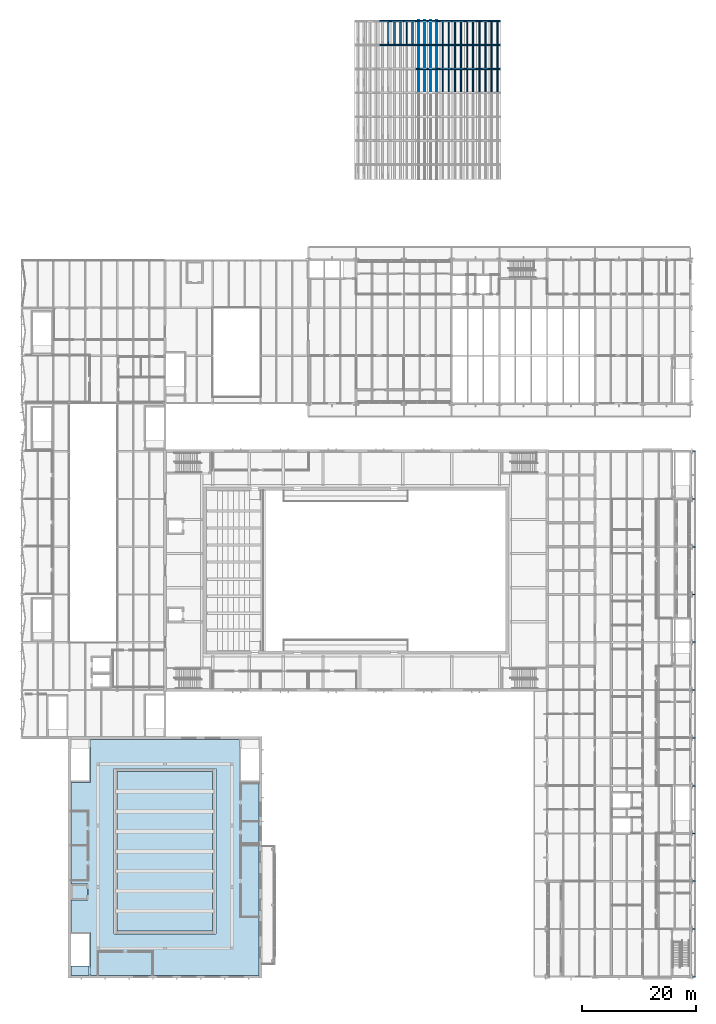
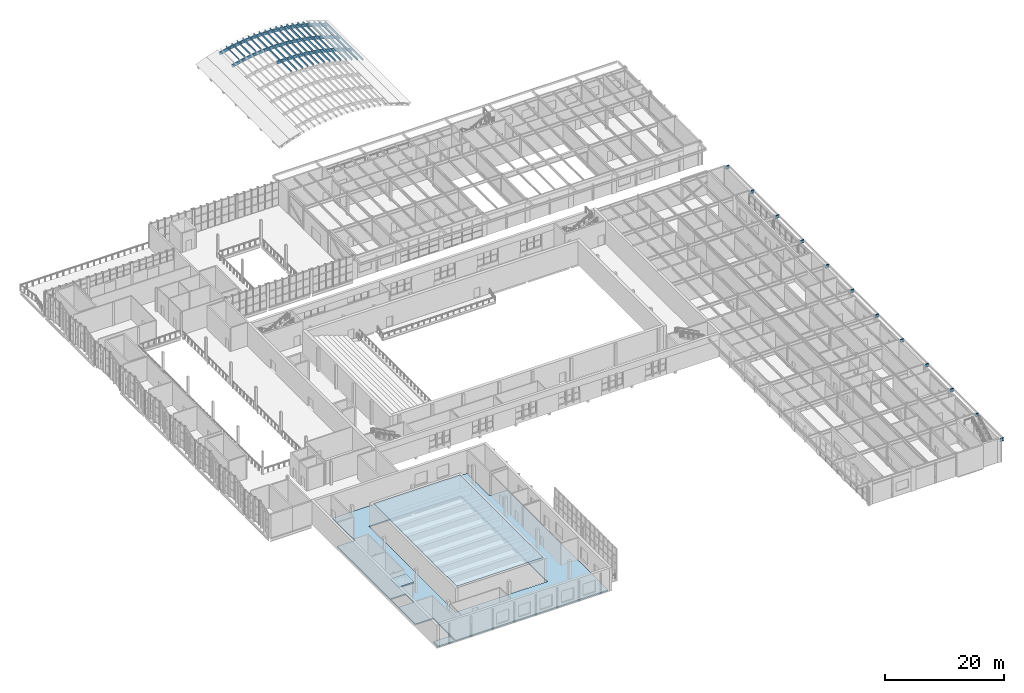
# One storey, part 55 of 116: 39 beams, 33 members, 4 slabs.
"""IFC4 building model written with IfcOpenShell, lengths in metres."""

from ifc_helpers import new_model, si_unit, direction, frame, origin, origin_2d, place, context, subcontext, project, spatial, polyline, rectangle, i_section, outline, extrude, material, layer, layer_set, material_profile, profile_set, type_object, element, save


model = new_model("IFC4")

# Units and contexts
model_context = context("Model", 3, precision=1e-05, world=origin(), true_north=direction((0.0, 1.0)))
body_context = subcontext(model_context, "Body", "Model", "MODEL_VIEW")
ifc_project = project(units=[si_unit("LENGTHUNIT", "METRE"), si_unit("AREAUNIT", "SQUARE_METRE"), si_unit("VOLUMEUNIT", "CUBIC_METRE"), si_unit("PLANEANGLEUNIT", "RADIAN"), si_unit("MASSUNIT", "GRAM", prefix="KILO")], contexts=[model_context])

# Site, building, storey
site_placement = place(None, origin())
site = spatial("IfcSite", under=ifc_project, at=site_placement, CompositionType="ELEMENT")
building_placement = place(site_placement, origin())
building = spatial("IfcBuilding", under=site, at=building_placement, Name="Ljudholm Concert House", CompositionType="ELEMENT")
storey_placement = place(building_placement, frame((0.0, 0.0, 10.199951171875)))
storey = spatial("IfcBuildingStorey", under=building, at=storey_placement, Name="L02", CompositionType="ELEMENT", Elevation=10.199951171875)

# Members
ifc_material_1 = material(Name="Glulam 24F-1.8E", Category="wood")
ifc_material_profile_1 = material_profile(ifc_material_1, rectangle(XDim=0.159912109375, YDim=0.360107421875, at=origin_2d()), Name="GLULAM PURLIN 160x360")
ifc_profile_set_1 = profile_set([ifc_material_profile_1], Name="Glulam 24F-1.8E")
member_type = type_object("IfcMemberType", Name="GLULAM PURLIN 160x360", PredefinedType="PURLIN", material=ifc_profile_set_1)
for number, where, z_axis, x_axis, name in (
    (1, (68.46533203125, 167.800048828125, 1.901123046875), (0.0, 1.0, 0.0), (-0.973523031198, 0.0, -0.228588949267), "Glulam purlin"),
    (2, (69.546630859375, 167.800048828125, 2.11767578125), (0.0, 1.0, 0.0), (-0.986580529884, 0.0, -0.163275405537), "Glulam purlin"),
    (3, (70.5966796875, 167.800048828125, 2.29150390625), (0.0, 1.0, 0.0), (-0.986580529884, 0.0, -0.163275405537), "Glulam purlin"),
    (4, (71.677978515625, 167.800048828125, 2.43408203125), (0.0, 1.0, 0.0), (-0.995189927717, 0.0, -0.09796431886), "Glulam purlin"),
    (5, (72.72802734375, 167.800048828125, 2.537353515625), (0.0, 1.0, 0.0), (-0.995189927717, 0.0, -0.09796431886), "Glulam purlin"),
):
    element("IfcMember", number, at=place(storey_placement, frame(where, z_axis=z_axis, x_axis=x_axis)), inside=storey, type_object=member_type, Name=name, PredefinedType="PURLIN", context=body_context, shape_type="SweptSolid", body=[
        extrude(rectangle(XDim=0.159912109375, YDim=0.360107421875, at=origin_2d()), origin(), (0.0, 0.0, 1.0), 4.39990234375),
    ])
member_1_placement = place(storey_placement, frame((73.809326171875, 159.39990234375, 2.6083984375), z_axis=(0.0, 1.0, 0.0), x_axis=(-0.999466695597, 0.0, -0.032654622831)))
element("IfcMember", 6, at=member_1_placement, inside=storey, type_object=member_type, Name="Glulam purlin", PredefinedType="PURLIN", context=body_context, shape_type="SweptSolid", body=[
    extrude(rectangle(XDim=0.159912109375, YDim=0.360107421875, at=origin_2d()), origin(), (0.0, 0.0, 1.0), 8.400146484375),
])
member_2_placement = place(storey_placement, frame((73.809326171875, 167.800048828125, 2.6083984375), z_axis=(0.0, 1.0, 0.0), x_axis=(-0.999466695597, 0.0, -0.032654622831)))
element("IfcMember", 7, at=member_2_placement, inside=storey, type_object=member_type, Name="Glulam purlin", PredefinedType="PURLIN", context=body_context, shape_type="SweptSolid", body=[
    extrude(rectangle(XDim=0.159912109375, YDim=0.360107421875, at=origin_2d()), origin(), (0.0, 0.0, 1.0), 4.39990234375),
])
member_3_placement = place(storey_placement, frame((74.859375, 159.39990234375, 2.642578125), z_axis=(0.0, 1.0, 0.0), x_axis=(-0.999466695597, 0.0, -0.032654622831)))
element("IfcMember", 8, at=member_3_placement, inside=storey, type_object=member_type, Name="Glulam purlin", PredefinedType="PURLIN", context=body_context, shape_type="SweptSolid", body=[
    extrude(rectangle(XDim=0.159912109375, YDim=0.360107421875, at=origin_2d()), origin(), (0.0, 0.0, 1.0), 8.400146484375),
])
member_4_placement = place(storey_placement, frame((74.859375, 167.800048828125, 2.642578125), z_axis=(0.0, 1.0, 0.0), x_axis=(-0.999466695597, 0.0, -0.032654622831)))
element("IfcMember", 9, at=member_4_placement, inside=storey, type_object=member_type, Name="Glulam purlin", PredefinedType="PURLIN", context=body_context, shape_type="SweptSolid", body=[
    extrude(rectangle(XDim=0.159912109375, YDim=0.360107421875, at=origin_2d()), origin(), (0.0, 0.0, 1.0), 4.39990234375),
])
member_5_placement = place(storey_placement, frame((75.940673828125, 159.39990234375, 2.642578125), z_axis=(0.0, 1.0, 0.0), x_axis=(-0.999466695597, 0.0, 0.032654622831)))
element("IfcMember", 10, at=member_5_placement, inside=storey, type_object=member_type, Name="Glulam purlin", PredefinedType="PURLIN", context=body_context, shape_type="SweptSolid", body=[
    extrude(rectangle(XDim=0.159912109375, YDim=0.360107421875, at=origin_2d()), origin(), (0.0, 0.0, 1.0), 8.400146484375),
])
member_6_placement = place(storey_placement, frame((75.940673828125, 167.800048828125, 2.642578125), z_axis=(0.0, 1.0, 0.0), x_axis=(-0.999466695597, 0.0, 0.032654622831)))
element("IfcMember", 11, at=member_6_placement, inside=storey, type_object=member_type, Name="Glulam purlin", PredefinedType="PURLIN", context=body_context, shape_type="SweptSolid", body=[
    extrude(rectangle(XDim=0.159912109375, YDim=0.360107421875, at=origin_2d()), origin(), (0.0, 0.0, 1.0), 4.39990234375),
])
member_7_placement = place(storey_placement, frame((76.99072265625, 159.39990234375, 2.6083984375), z_axis=(0.0, 1.0, 0.0), x_axis=(-0.999466695597, 0.0, 0.032654622831)))
element("IfcMember", 12, at=member_7_placement, inside=storey, type_object=member_type, Name="Glulam purlin", PredefinedType="PURLIN", context=body_context, shape_type="SweptSolid", body=[
    extrude(rectangle(XDim=0.159912109375, YDim=0.360107421875, at=origin_2d()), origin(), (0.0, 0.0, 1.0), 8.400146484375),
])
member_8_placement = place(storey_placement, frame((76.99072265625, 167.800048828125, 2.6083984375), z_axis=(0.0, 1.0, 0.0), x_axis=(-0.999466695597, 0.0, 0.032654622831)))
element("IfcMember", 13, at=member_8_placement, inside=storey, type_object=member_type, Name="Glulam purlin", PredefinedType="PURLIN", context=body_context, shape_type="SweptSolid", body=[
    extrude(rectangle(XDim=0.159912109375, YDim=0.360107421875, at=origin_2d()), origin(), (0.0, 0.0, 1.0), 4.39990234375),
])
member_9_placement = place(storey_placement, frame((78.072021484375, 159.39990234375, 2.537353515625), z_axis=(0.0, 1.0, 0.0), x_axis=(-0.995189927717, 0.0, 0.09796431886)))
element("IfcMember", 14, at=member_9_placement, inside=storey, type_object=member_type, Name="Glulam purlin", PredefinedType="PURLIN", context=body_context, shape_type="SweptSolid", body=[
    extrude(rectangle(XDim=0.159912109375, YDim=0.360107421875, at=origin_2d()), origin(), (0.0, 0.0, 1.0), 8.400146484375),
])
member_10_placement = place(storey_placement, frame((78.072021484375, 167.800048828125, 2.537353515625), z_axis=(0.0, 1.0, 0.0), x_axis=(-0.995189927717, 0.0, 0.09796431886)))
element("IfcMember", 15, at=member_10_placement, inside=storey, type_object=member_type, Name="Glulam purlin", PredefinedType="PURLIN", context=body_context, shape_type="SweptSolid", body=[
    extrude(rectangle(XDim=0.159912109375, YDim=0.360107421875, at=origin_2d()), origin(), (0.0, 0.0, 1.0), 4.39990234375),
])
member_11_placement = place(storey_placement, frame((79.1220703125, 159.39990234375, 2.43408203125), z_axis=(0.0, 1.0, 0.0), x_axis=(-0.995189927717, 0.0, 0.09796431886)))
element("IfcMember", 16, at=member_11_placement, inside=storey, type_object=member_type, Name="Glulam purlin", PredefinedType="PURLIN", context=body_context, shape_type="SweptSolid", body=[
    extrude(rectangle(XDim=0.159912109375, YDim=0.360107421875, at=origin_2d()), origin(), (0.0, 0.0, 1.0), 8.400146484375),
])
member_12_placement = place(storey_placement, frame((79.1220703125, 167.800048828125, 2.43408203125), z_axis=(0.0, 1.0, 0.0), x_axis=(-0.995189927717, 0.0, 0.09796431886)))
element("IfcMember", 17, at=member_12_placement, inside=storey, type_object=member_type, Name="Glulam purlin", PredefinedType="PURLIN", context=body_context, shape_type="SweptSolid", body=[
    extrude(rectangle(XDim=0.159912109375, YDim=0.360107421875, at=origin_2d()), origin(), (0.0, 0.0, 1.0), 4.39990234375),
])
member_13_placement = place(storey_placement, frame((80.203369140625, 159.39990234375, 2.29150390625), z_axis=(0.0, 1.0, 0.0), x_axis=(-0.986580529884, 0.0, 0.163275405537)))
element("IfcMember", 18, at=member_13_placement, inside=storey, type_object=member_type, Name="Glulam purlin", PredefinedType="PURLIN", context=body_context, shape_type="SweptSolid", body=[
    extrude(rectangle(XDim=0.159912109375, YDim=0.360107421875, at=origin_2d()), origin(), (0.0, 0.0, 1.0), 8.400146484375),
])
member_14_placement = place(storey_placement, frame((80.203369140625, 167.800048828125, 2.29150390625), z_axis=(0.0, 1.0, 0.0), x_axis=(-0.986580529884, 0.0, 0.163275405537)))
element("IfcMember", 19, at=member_14_placement, inside=storey, type_object=member_type, Name="Glulam purlin", PredefinedType="PURLIN", context=body_context, shape_type="SweptSolid", body=[
    extrude(rectangle(XDim=0.159912109375, YDim=0.360107421875, at=origin_2d()), origin(), (0.0, 0.0, 1.0), 4.39990234375),
])
member_15_placement = place(storey_placement, frame((81.25341796875, 159.39990234375, 2.11767578125), z_axis=(0.0, 1.0, 0.0), x_axis=(-0.986580529884, 0.0, 0.163275405537)))
element("IfcMember", 20, at=member_15_placement, inside=storey, type_object=member_type, Name="Glulam purlin", PredefinedType="PURLIN", context=body_context, shape_type="SweptSolid", body=[
    extrude(rectangle(XDim=0.159912109375, YDim=0.360107421875, at=origin_2d()), origin(), (0.0, 0.0, 1.0), 8.400146484375),
])
member_16_placement = place(storey_placement, frame((81.25341796875, 167.800048828125, 2.11767578125), z_axis=(0.0, 1.0, 0.0), x_axis=(-0.986580529884, 0.0, 0.163275405537)))
element("IfcMember", 21, at=member_16_placement, inside=storey, type_object=member_type, Name="Glulam purlin", PredefinedType="PURLIN", context=body_context, shape_type="SweptSolid", body=[
    extrude(rectangle(XDim=0.159912109375, YDim=0.360107421875, at=origin_2d()), origin(), (0.0, 0.0, 1.0), 4.39990234375),
])
member_17_placement = place(storey_placement, frame((82.334716796875, 159.39990234375, 1.901123046875), z_axis=(0.0, 1.0, 0.0), x_axis=(-0.973523031198, 0.0, 0.228588949267)))
element("IfcMember", 22, at=member_17_placement, inside=storey, type_object=member_type, Name="Glulam purlin", PredefinedType="PURLIN", context=body_context, shape_type="SweptSolid", body=[
    extrude(rectangle(XDim=0.159912109375, YDim=0.360107421875, at=origin_2d()), origin(), (0.0, 0.0, 1.0), 8.400146484375),
])
member_18_placement = place(storey_placement, frame((82.334716796875, 167.800048828125, 1.901123046875), z_axis=(0.0, 1.0, 0.0), x_axis=(-0.973523031198, 0.0, 0.228588949267)))
element("IfcMember", 23, at=member_18_placement, inside=storey, type_object=member_type, Name="Glulam purlin", PredefinedType="PURLIN", context=body_context, shape_type="SweptSolid", body=[
    extrude(rectangle(XDim=0.159912109375, YDim=0.360107421875, at=origin_2d()), origin(), (0.0, 0.0, 1.0), 4.39990234375),
])
member_19_placement = place(storey_placement, frame((83.384765625, 159.39990234375, 1.654541015625), z_axis=(0.0, 1.0, 0.0), x_axis=(-0.973523031198, 0.0, 0.228588949267)))
element("IfcMember", 24, at=member_19_placement, inside=storey, type_object=member_type, Name="Glulam purlin", PredefinedType="PURLIN", context=body_context, shape_type="SweptSolid", body=[
    extrude(rectangle(XDim=0.159912109375, YDim=0.360107421875, at=origin_2d()), origin(), (0.0, 0.0, 1.0), 8.400146484375),
])
member_20_placement = place(storey_placement, frame((83.384765625, 167.800048828125, 1.654541015625), z_axis=(0.0, 1.0, 0.0), x_axis=(-0.973523031198, 0.0, 0.228588949267)))
element("IfcMember", 25, at=member_20_placement, inside=storey, type_object=member_type, Name="Glulam purlin", PredefinedType="PURLIN", context=body_context, shape_type="SweptSolid", body=[
    extrude(rectangle(XDim=0.159912109375, YDim=0.360107421875, at=origin_2d()), origin(), (0.0, 0.0, 1.0), 4.39990234375),
])
member_21_placement = place(storey_placement, frame((84.466064453125, 159.39990234375, 1.361572265625), z_axis=(0.0, 1.0, 0.0), x_axis=(-0.955834250124, 0.0, 0.293906254255)))
element("IfcMember", 26, at=member_21_placement, inside=storey, type_object=member_type, Name="Glulam purlin", PredefinedType="PURLIN", context=body_context, shape_type="SweptSolid", body=[
    extrude(rectangle(XDim=0.159912109375, YDim=0.360107421875, at=origin_2d()), origin(), (0.0, 0.0, 1.0), 8.400146484375),
])
member_22_placement = place(storey_placement, frame((84.466064453125, 167.800048828125, 1.361572265625), z_axis=(0.0, 1.0, 0.0), x_axis=(-0.955834250124, 0.0, 0.293906254255)))
element("IfcMember", 27, at=member_22_placement, inside=storey, type_object=member_type, Name="Glulam purlin", PredefinedType="PURLIN", context=body_context, shape_type="SweptSolid", body=[
    extrude(rectangle(XDim=0.159912109375, YDim=0.360107421875, at=origin_2d()), origin(), (0.0, 0.0, 1.0), 4.39990234375),
])
member_23_placement = place(storey_placement, frame((85.51611328125, 159.39990234375, 1.03857421875), z_axis=(0.0, 1.0, 0.0), x_axis=(-0.955834250124, 0.0, 0.293906254255)))
element("IfcMember", 28, at=member_23_placement, inside=storey, type_object=member_type, Name="Glulam purlin", PredefinedType="PURLIN", context=body_context, shape_type="SweptSolid", body=[
    extrude(rectangle(XDim=0.159912109375, YDim=0.360107421875, at=origin_2d()), origin(), (0.0, 0.0, 1.0), 8.400146484375),
])
member_24_placement = place(storey_placement, frame((85.51611328125, 167.800048828125, 1.03857421875), z_axis=(0.0, 1.0, 0.0), x_axis=(-0.955834250124, 0.0, 0.293906254255)))
element("IfcMember", 29, at=member_24_placement, inside=storey, type_object=member_type, Name="Glulam purlin", PredefinedType="PURLIN", context=body_context, shape_type="SweptSolid", body=[
    extrude(rectangle(XDim=0.159912109375, YDim=0.360107421875, at=origin_2d()), origin(), (0.0, 0.0, 1.0), 4.39990234375),
])
member_25_placement = place(storey_placement, frame((86.597412109375, 159.39990234375, 0.664306640625), z_axis=(0.0, 1.0, 0.0), x_axis=(-0.933249434597, 0.0, 0.359229025587)))
element("IfcMember", 30, at=member_25_placement, inside=storey, type_object=member_type, Name="Glulam purlin", PredefinedType="PURLIN", context=body_context, shape_type="SweptSolid", body=[
    extrude(rectangle(XDim=0.159912109375, YDim=0.360107421875, at=origin_2d()), origin(), (0.0, 0.0, 1.0), 8.400146484375),
])
member_26_placement = place(storey_placement, frame((86.597412109375, 167.800048828125, 0.664306640625), z_axis=(0.0, 1.0, 0.0), x_axis=(-0.933249434597, 0.0, 0.359229025587)))
element("IfcMember", 31, at=member_26_placement, inside=storey, type_object=member_type, Name="Glulam purlin", PredefinedType="PURLIN", context=body_context, shape_type="SweptSolid", body=[
    extrude(rectangle(XDim=0.159912109375, YDim=0.360107421875, at=origin_2d()), origin(), (0.0, 0.0, 1.0), 4.39990234375),
])
member_27_placement = place(storey_placement, frame((87.6474609375, 159.39990234375, 0.260009765625), z_axis=(0.0, 1.0, 0.0), x_axis=(-0.933249434597, 0.0, 0.359229025587)))
element("IfcMember", 32, at=member_27_placement, inside=storey, type_object=member_type, Name="Glulam purlin", PredefinedType="PURLIN", context=body_context, shape_type="SweptSolid", body=[
    extrude(rectangle(XDim=0.159912109375, YDim=0.360107421875, at=origin_2d()), origin(), (0.0, 0.0, 1.0), 8.400146484375),
])
member_28_placement = place(storey_placement, frame((87.6474609375, 167.800048828125, 0.260009765625), z_axis=(0.0, 1.0, 0.0), x_axis=(-0.933249434597, 0.0, 0.359229025587)))
element("IfcMember", 33, at=member_28_placement, inside=storey, type_object=member_type, Name="Glulam purlin", PredefinedType="PURLIN", context=body_context, shape_type="SweptSolid", body=[
    extrude(rectangle(XDim=0.159912109375, YDim=0.360107421875, at=origin_2d()), origin(), (0.0, 0.0, 1.0), 4.39990234375),
])

# Beams
ifc_material_2 = material(Name="Glulam 24F-1.8E", Category="wood")
ifc_material_profile_2 = material_profile(ifc_material_2, rectangle(XDim=0.239990234375, YDim=0.60009765625, at=origin_2d()), Name="GLULAM RIB 240x600")
ifc_profile_set_2 = profile_set([ifc_material_profile_2], Name="Glulam 24F-1.8E")
beam_type_1 = type_object("IfcBeamType", Name="GLULAM RIB 240x600", PredefinedType="BEAM", material=ifc_profile_set_2)
for number, where, z_axis, x_axis, name in (
    (34, (73.31201171875, 163.60009765625, 2.11181640625), (0.999465968052, 0.0, 0.032676883349), (0.0, 1.0, 0.0), "Glulam rib 5"),
    (35, (75.412109375, 163.60009765625, 2.1796875), (0.999465968052, 0.0, -0.032676883349), (0.0, 1.0, 0.0), "Glulam rib 5"),
):
    element("IfcBeam", number, at=place(storey_placement, frame(where, z_axis=z_axis, x_axis=x_axis)), inside=storey, type_object=beam_type_1, Name=name, PredefinedType="BEAM", context=body_context, shape_type="SweptSolid", body=[
        extrude(rectangle(XDim=0.239990234375, YDim=0.60009765625, at=origin_2d()), origin(), (0.0, 0.0, 1.0), 2.0771484375),
    ])
beam_1_placement = place(storey_placement, frame((77.511962890625, 163.60009765625, 2.1103515625), z_axis=(0.995191241426, 0.0, -0.097950972375), x_axis=(0.0, 1.0, 0.0)))
element("IfcBeam", 36, at=beam_1_placement, inside=storey, type_object=beam_type_1, Name="Glulam rib 5", PredefinedType="BEAM", context=body_context, shape_type="SweptSolid", body=[
    extrude(rectangle(XDim=0.239990234375, YDim=0.60009765625, at=origin_2d()), origin(), (0.0, 0.0, 1.0), 2.086181640625),
])
beam_2_placement = place(storey_placement, frame((79.61181640625, 163.60009765625, 1.90283203125), z_axis=(0.98657204235, 0.0, -0.163326682614), x_axis=(0.0, 1.0, 0.0)))
element("IfcBeam", 37, at=beam_2_placement, inside=storey, type_object=beam_type_1, Name="Glulam rib 5", PredefinedType="BEAM", context=body_context, shape_type="SweptSolid", body=[
    extrude(rectangle(XDim=0.239990234375, YDim=0.60009765625, at=origin_2d()), origin(), (0.0, 0.0, 1.0), 2.104736328125),
])
beam_3_placement = place(storey_placement, frame((81.711669921875, 163.60009765625, 1.554443359375), z_axis=(0.973529626595, 0.0, -0.228560858725), x_axis=(0.0, 1.0, 0.0)))
element("IfcBeam", 38, at=beam_3_placement, inside=storey, type_object=beam_type_1, Name="Glulam rib 5", PredefinedType="BEAM", context=body_context, shape_type="SweptSolid", body=[
    extrude(rectangle(XDim=0.239990234375, YDim=0.60009765625, at=origin_2d()), origin(), (0.0, 0.0, 1.0), 2.133056640625),
])
beam_4_placement = place(storey_placement, frame((83.8115234375, 163.60009765625, 1.060546875), z_axis=(0.955827582823, 0.0, -0.293927936601), x_axis=(0.0, 1.0, 0.0)))
element("IfcBeam", 39, at=beam_4_placement, inside=storey, type_object=beam_type_1, Name="Glulam rib 5", PredefinedType="BEAM", context=body_context, shape_type="SweptSolid", body=[
    extrude(rectangle(XDim=0.239990234375, YDim=0.60009765625, at=origin_2d()), origin(), (0.0, 0.0, 1.0), 2.1728515625),
])
beam_5_placement = place(storey_placement, frame((85.9111328125, 163.60009765625, 0.4140625), z_axis=(0.933264055401, 0.0, -0.359191039555), x_axis=(0.0, 1.0, 0.0)))
element("IfcBeam", 40, at=beam_5_placement, inside=storey, type_object=beam_type_1, Name="Glulam rib 5", PredefinedType="BEAM", context=body_context, shape_type="SweptSolid", body=[
    extrude(rectangle(XDim=0.239990234375, YDim=0.60009765625, at=origin_2d()), origin(), (0.0, 0.0, 1.0), 2.23828125),
])
beam_6_placement = place(storey_placement, frame((67.01171875, 167.800048828125, 1.06689453125), z_axis=(0.973529626595, 0.0, 0.228560858725), x_axis=(0.0, 1.0, 0.0)))
element("IfcBeam", 41, at=beam_6_placement, inside=storey, type_object=beam_type_1, Name="Glulam rib 6", PredefinedType="BEAM", context=body_context, shape_type="SweptSolid", body=[
    extrude(rectangle(XDim=0.239990234375, YDim=0.60009765625, at=origin_2d()), origin(), (0.0, 0.0, 1.0), 2.133056640625),
])
beam_7_placement = place(storey_placement, frame((69.11181640625, 167.800048828125, 1.55908203125), z_axis=(0.98657204235, 0.0, 0.163326682614), x_axis=(0.0, 1.0, 0.0)))
element("IfcBeam", 42, at=beam_7_placement, inside=storey, type_object=beam_type_1, Name="Glulam rib 6", PredefinedType="BEAM", context=body_context, shape_type="SweptSolid", body=[
    extrude(rectangle(XDim=0.239990234375, YDim=0.60009765625, at=origin_2d()), origin(), (0.0, 0.0, 1.0), 2.104736328125),
])
beam_8_placement = place(storey_placement, frame((71.2119140625, 167.800048828125, 1.906005859375), z_axis=(0.995191241426, 0.0, 0.097950972375), x_axis=(0.0, 1.0, 0.0)))
element("IfcBeam", 43, at=beam_8_placement, inside=storey, type_object=beam_type_1, Name="Glulam rib 6", PredefinedType="BEAM", context=body_context, shape_type="SweptSolid", body=[
    extrude(rectangle(XDim=0.239990234375, YDim=0.60009765625, at=origin_2d()), origin(), (0.0, 0.0, 1.0), 2.086181640625),
])
for number, where, z_axis, x_axis, name in (
    (44, (73.31201171875, 167.800048828125, 2.11181640625), (0.999465968052, 0.0, 0.032676883349), (0.0, 1.0, 0.0), "Glulam rib 6"),
    (45, (75.412109375, 167.800048828125, 2.1796875), (0.999465968052, 0.0, -0.032676883349), (0.0, 1.0, 0.0), "Glulam rib 6"),
):
    element("IfcBeam", number, at=place(storey_placement, frame(where, z_axis=z_axis, x_axis=x_axis)), inside=storey, type_object=beam_type_1, Name=name, PredefinedType="BEAM", context=body_context, shape_type="SweptSolid", body=[
        extrude(rectangle(XDim=0.239990234375, YDim=0.60009765625, at=origin_2d()), origin(), (0.0, 0.0, 1.0), 2.0771484375),
    ])
beam_9_placement = place(storey_placement, frame((77.511962890625, 167.800048828125, 2.1103515625), z_axis=(0.995191241426, 0.0, -0.097950972375), x_axis=(0.0, 1.0, 0.0)))
element("IfcBeam", 46, at=beam_9_placement, inside=storey, type_object=beam_type_1, Name="Glulam rib 6", PredefinedType="BEAM", context=body_context, shape_type="SweptSolid", body=[
    extrude(rectangle(XDim=0.239990234375, YDim=0.60009765625, at=origin_2d()), origin(), (0.0, 0.0, 1.0), 2.086181640625),
])
beam_10_placement = place(storey_placement, frame((79.61181640625, 167.800048828125, 1.90283203125), z_axis=(0.98657204235, 0.0, -0.163326682614), x_axis=(0.0, 1.0, 0.0)))
element("IfcBeam", 47, at=beam_10_placement, inside=storey, type_object=beam_type_1, Name="Glulam rib 6", PredefinedType="BEAM", context=body_context, shape_type="SweptSolid", body=[
    extrude(rectangle(XDim=0.239990234375, YDim=0.60009765625, at=origin_2d()), origin(), (0.0, 0.0, 1.0), 2.104736328125),
])
beam_11_placement = place(storey_placement, frame((81.711669921875, 167.800048828125, 1.554443359375), z_axis=(0.973529626595, 0.0, -0.228560858725), x_axis=(0.0, 1.0, 0.0)))
element("IfcBeam", 48, at=beam_11_placement, inside=storey, type_object=beam_type_1, Name="Glulam rib 6", PredefinedType="BEAM", context=body_context, shape_type="SweptSolid", body=[
    extrude(rectangle(XDim=0.239990234375, YDim=0.60009765625, at=origin_2d()), origin(), (0.0, 0.0, 1.0), 2.133056640625),
])
beam_12_placement = place(storey_placement, frame((83.8115234375, 167.800048828125, 1.060546875), z_axis=(0.955827582823, 0.0, -0.293927936601), x_axis=(0.0, 1.0, 0.0)))
element("IfcBeam", 49, at=beam_12_placement, inside=storey, type_object=beam_type_1, Name="Glulam rib 6", PredefinedType="BEAM", context=body_context, shape_type="SweptSolid", body=[
    extrude(rectangle(XDim=0.239990234375, YDim=0.60009765625, at=origin_2d()), origin(), (0.0, 0.0, 1.0), 2.1728515625),
])
beam_13_placement = place(storey_placement, frame((85.9111328125, 167.800048828125, 0.4140625), z_axis=(0.933264055401, 0.0, -0.359191039555), x_axis=(0.0, 1.0, 0.0)))
element("IfcBeam", 50, at=beam_13_placement, inside=storey, type_object=beam_type_1, Name="Glulam rib 6", PredefinedType="BEAM", context=body_context, shape_type="SweptSolid", body=[
    extrude(rectangle(XDim=0.239990234375, YDim=0.60009765625, at=origin_2d()), origin(), (0.0, 0.0, 1.0), 2.23828125),
])
beam_14_placement = place(storey_placement, frame((67.01171875, 172.0, 1.06689453125), z_axis=(0.973529626595, 0.0, 0.228560858725), x_axis=(0.0, 1.0, 0.0)))
element("IfcBeam", 51, at=beam_14_placement, inside=storey, type_object=beam_type_1, Name="Glulam rib 7", PredefinedType="BEAM", context=body_context, shape_type="SweptSolid", body=[
    extrude(rectangle(XDim=0.239990234375, YDim=0.60009765625, at=origin_2d()), origin(), (0.0, 0.0, 1.0), 2.133056640625),
])
beam_15_placement = place(storey_placement, frame((69.11181640625, 172.0, 1.55908203125), z_axis=(0.98657204235, 0.0, 0.163326682614), x_axis=(0.0, 1.0, 0.0)))
element("IfcBeam", 52, at=beam_15_placement, inside=storey, type_object=beam_type_1, Name="Glulam rib 7", PredefinedType="BEAM", context=body_context, shape_type="SweptSolid", body=[
    extrude(rectangle(XDim=0.239990234375, YDim=0.60009765625, at=origin_2d()), origin(), (0.0, 0.0, 1.0), 2.104736328125),
])
beam_16_placement = place(storey_placement, frame((71.2119140625, 172.0, 1.906005859375), z_axis=(0.995191241426, 0.0, 0.097950972375), x_axis=(0.0, 1.0, 0.0)))
element("IfcBeam", 53, at=beam_16_placement, inside=storey, type_object=beam_type_1, Name="Glulam rib 7", PredefinedType="BEAM", context=body_context, shape_type="SweptSolid", body=[
    extrude(rectangle(XDim=0.239990234375, YDim=0.60009765625, at=origin_2d()), origin(), (0.0, 0.0, 1.0), 2.086181640625),
])
for number, where, z_axis, x_axis, name in (
    (54, (73.31201171875, 172.0, 2.11181640625), (0.999465968052, 0.0, 0.032676883349), (0.0, 1.0, 0.0), "Glulam rib 7"),
    (55, (75.412109375, 172.0, 2.1796875), (0.999465968052, 0.0, -0.032676883349), (0.0, 1.0, 0.0), "Glulam rib 7"),
):
    element("IfcBeam", number, at=place(storey_placement, frame(where, z_axis=z_axis, x_axis=x_axis)), inside=storey, type_object=beam_type_1, Name=name, PredefinedType="BEAM", context=body_context, shape_type="SweptSolid", body=[
        extrude(rectangle(XDim=0.239990234375, YDim=0.60009765625, at=origin_2d()), origin(), (0.0, 0.0, 1.0), 2.0771484375),
    ])
beam_17_placement = place(storey_placement, frame((77.511962890625, 172.0, 2.1103515625), z_axis=(0.995191241426, 0.0, -0.097950972375), x_axis=(0.0, 1.0, 0.0)))
element("IfcBeam", 56, at=beam_17_placement, inside=storey, type_object=beam_type_1, Name="Glulam rib 7", PredefinedType="BEAM", context=body_context, shape_type="SweptSolid", body=[
    extrude(rectangle(XDim=0.239990234375, YDim=0.60009765625, at=origin_2d()), origin(), (0.0, 0.0, 1.0), 2.086181640625),
])
beam_18_placement = place(storey_placement, frame((79.61181640625, 172.0, 1.90283203125), z_axis=(0.98657204235, 0.0, -0.163326682614), x_axis=(0.0, 1.0, 0.0)))
element("IfcBeam", 57, at=beam_18_placement, inside=storey, type_object=beam_type_1, Name="Glulam rib 7", PredefinedType="BEAM", context=body_context, shape_type="SweptSolid", body=[
    extrude(rectangle(XDim=0.239990234375, YDim=0.60009765625, at=origin_2d()), origin(), (0.0, 0.0, 1.0), 2.104736328125),
])
beam_19_placement = place(storey_placement, frame((81.711669921875, 172.0, 1.554443359375), z_axis=(0.973529626595, 0.0, -0.228560858725), x_axis=(0.0, 1.0, 0.0)))
element("IfcBeam", 58, at=beam_19_placement, inside=storey, type_object=beam_type_1, Name="Glulam rib 7", PredefinedType="BEAM", context=body_context, shape_type="SweptSolid", body=[
    extrude(rectangle(XDim=0.239990234375, YDim=0.60009765625, at=origin_2d()), origin(), (0.0, 0.0, 1.0), 2.133056640625),
])
beam_20_placement = place(storey_placement, frame((83.8115234375, 172.0, 1.060546875), z_axis=(0.955827582823, 0.0, -0.293927936601), x_axis=(0.0, 1.0, 0.0)))
element("IfcBeam", 59, at=beam_20_placement, inside=storey, type_object=beam_type_1, Name="Glulam rib 7", PredefinedType="BEAM", context=body_context, shape_type="SweptSolid", body=[
    extrude(rectangle(XDim=0.239990234375, YDim=0.60009765625, at=origin_2d()), origin(), (0.0, 0.0, 1.0), 2.1728515625),
])
beam_21_placement = place(storey_placement, frame((85.9111328125, 172.0, 0.4140625), z_axis=(0.933264055401, 0.0, -0.359191039555), x_axis=(0.0, 1.0, 0.0)))
element("IfcBeam", 60, at=beam_21_placement, inside=storey, type_object=beam_type_1, Name="Glulam rib 7", PredefinedType="BEAM", context=body_context, shape_type="SweptSolid", body=[
    extrude(rectangle(XDim=0.239990234375, YDim=0.60009765625, at=origin_2d()), origin(), (0.0, 0.0, 1.0), 2.23828125),
])
ifc_material_3 = material(Name="Steel ASTM A992", Category="steel")
ifc_material_profile_3 = material_profile(ifc_material_3, i_section(OverallWidth=0.22900390625, OverallDepth=0.612060546875, WebThickness=0.011962890625, FlangeThickness=0.01953125, FilletRadius=0.0126953125, at=origin_2d()), Name="W24X84")
ifc_profile_set_3 = profile_set([ifc_material_profile_3], Name="Steel ASTM A992")
beam_type_2 = type_object("IfcBeamType", Name="STEEL BEAM W24X84 EAVE CANTILEVER", PredefinedType="BEAM", material=ifc_profile_set_3)
for number, where, z_axis, x_axis, name in (
    (61, (121.7841796875, 4.0, 4.31396484375), (1.0, 0.0, 0.0), (0.0, 1.0, 0.0), "Beam BOH-ROOF-eave-gE-4"),
    (62, (121.7841796875, 12.39990234375, 4.31396484375), (1.0, 0.0, 0.0), (0.0, 1.0, 0.0), "Beam BOH-ROOF-eave-gE-12.4"),
    (63, (121.7841796875, 20.800048828125, 4.31396484375), (1.0, 0.0, 0.0), (0.0, 1.0, 0.0), "Beam BOH-ROOF-eave-gE-20.8"),
    (64, (121.7841796875, 29.199951171875, 4.31396484375), (1.0, 0.0, 0.0), (0.0, 1.0, 0.0), "Beam BOH-ROOF-eave-gE-29.2"),
    (65, (121.7841796875, 37.60009765625, 4.31396484375), (1.0, 0.0, 0.0), (0.0, 1.0, 0.0), "Beam BOH-ROOF-eave-gE-37.6"),
    (66, (121.7841796875, 46.0, 4.31396484375), (1.0, 0.0, 0.0), (0.0, 1.0, 0.0), "Beam BOH-ROOF-eave-gE-46"),
    (67, (121.7841796875, 54.39990234375, 4.31396484375), (1.0, 0.0, 0.0), (0.0, 1.0, 0.0), "Beam BOH-ROOF-eave-gE-54.4"),
    (68, (121.7841796875, 62.800048828125, 4.31396484375), (1.0, 0.0, 0.0), (0.0, 1.0, 0.0), "Beam BOH-ROOF-eave-gE-62.8"),
    (69, (121.7841796875, 71.199951171875, 4.31396484375), (1.0, 0.0, 0.0), (0.0, 1.0, 0.0), "Beam BOH-ROOF-eave-gE-71.2"),
    (70, (121.7841796875, 79.60009765625, 4.31396484375), (1.0, 0.0, 0.0), (0.0, 1.0, 0.0), "Beam BOH-ROOF-eave-gE-79.6"),
    (71, (121.7841796875, 88.0, 4.31396484375), (1.0, 0.0, 0.0), (0.0, 1.0, 0.0), "Beam BOH-ROOF-eave-gE-88"),
    (72, (121.7841796875, 96.39990234375, 4.31396484375), (1.0, 0.0, 0.0), (0.0, 1.0, 0.0), "Beam BOH-ROOF-eave-gE-96.4"),
):
    element("IfcBeam", number, at=place(storey_placement, frame(where, z_axis=z_axis, x_axis=x_axis)), inside=storey, type_object=beam_type_2, Name=name, PredefinedType="BEAM", context=body_context, shape_type="SweptSolid", body=[
        extrude(i_section(OverallWidth=0.22900390625, OverallDepth=0.612060546875, WebThickness=0.011962890625, FlangeThickness=0.01953125, FilletRadius=0.0126953125, at=origin_2d()), origin(), (0.0, 0.0, 1.0), 0.7158203125),
    ])

# Slabs
ifc_material_4 = material(Name="Concrete 5,000 psi", Category="concrete")
ifc_layer_1 = layer(ifc_material_4, 0.25)
ifc_layer_set_1 = layer_set([ifc_layer_1], Name="Concrete 5,000 psi")
slab_type_1 = type_object("IfcSlabType", Name="RC FLOOR SLAB 250", PredefinedType="FLOOR", material=ifc_layer_set_1)
slab_1_placement = place(storey_placement, frame((0.0, 0.0, -0.25)))
element("IfcSlab", 73, at=slab_1_placement, inside=storey, type_object=slab_type_1, Name="Ring floor", PredefinedType="FLOOR", context=body_context, shape_type="SweptSolid", body=[
    extrude(outline(polyline([(45.75, 4.25), (16.10009765625, 4.25), (16.10009765625, 11.820068359375), (12.64990234375, 11.820068359375), (12.64990234375, 38.179931640625), (16.10009765625, 38.179931640625), (16.10009765625, 45.75), (42.300048828125, 45.75), (42.300048828125, 38.179931640625), (45.75, 38.179931640625), (45.75, 4.25)]), holes=[polyline([(12.72509765625, 17.5), (15.675048828125, 17.5), (15.675048828125, 20.300048828125), (12.72509765625, 20.300048828125), (12.72509765625, 17.5)]), polyline([(20.25, 11.5), (38.14990234375, 11.5), (38.14990234375, 40.60009765625), (20.25, 40.60009765625), (20.25, 11.5)])]), origin(), (0.0, 0.0, 1.0), 0.25),
])
slab_2_placement = place(storey_placement, frame((0.0, 0.0, -0.25)))
element("IfcSlab", 74, at=slab_2_placement, inside=storey, type_object=slab_type_1, Name="Stair arrival floor EC1", PredefinedType="FLOOR", context=body_context, shape_type="SweptSolid", body=[
    extrude(outline(polyline([(12.64990234375, 4.25), (15.85009765625, 4.25), (15.85009765625, 5.85009765625), (12.64990234375, 5.85009765625), (12.64990234375, 4.25)])), origin(), (0.0, 0.0, 1.0), 0.25),
])
ifc_material_5 = material(Name="Concrete 5,000 psi", Category="concrete")
ifc_layer_2 = layer(ifc_material_5, 0.25)
ifc_layer_set_2 = layer_set([ifc_layer_2], Name="Concrete 5,000 psi")
slab_type_2 = type_object("IfcSlabType", Name="RC ROOF SLAB 250", PredefinedType="ROOF", material=ifc_layer_set_2)
slab_3_placement = place(storey_placement, frame((0.0, 0.0, 3.900146484375)))
element("IfcSlab", 75, at=slab_3_placement, inside=storey, type_object=slab_type_2, Name="Lift overrun roof slab", PredefinedType="ROOF", context=body_context, shape_type="SweptSolid", body=[
    extrude(outline(polyline([(12.72509765625, 17.5), (15.675048828125, 17.5), (15.675048828125, 20.300048828125), (12.72509765625, 20.300048828125), (12.72509765625, 17.5)])), origin(), (0.0, 0.0, 1.0), 0.25),
])
ifc_material_6 = material(Name="Concrete 5,000 psi", Category="concrete")
ifc_layer_3 = layer(ifc_material_6, 0.39990234375)
ifc_layer_set_3 = layer_set([ifc_layer_3], Name="Concrete 5,000 psi")
slab_type_3 = type_object("IfcSlabType", Name="RC ROOF SLAB 400", PredefinedType="ROOF", material=ifc_layer_set_3)
slab_4_placement = place(storey_placement, frame((0.0, 0.0, 4.400146484375)))
element("IfcSlab", 76, at=slab_4_placement, inside=storey, type_object=slab_type_3, Name="Inner roof slab", PredefinedType="ROOF", context=body_context, shape_type="SweptSolid", body=[
    extrude(outline(polyline([(20.800048828125, 12.050048828125), (37.60009765625, 12.050048828125), (37.60009765625, 40.050048828125), (20.800048828125, 40.050048828125), (20.800048828125, 12.050048828125)])), origin(), (0.0, 0.0, 1.0), 0.39990234375),
])

save(model, "model.ifc")
